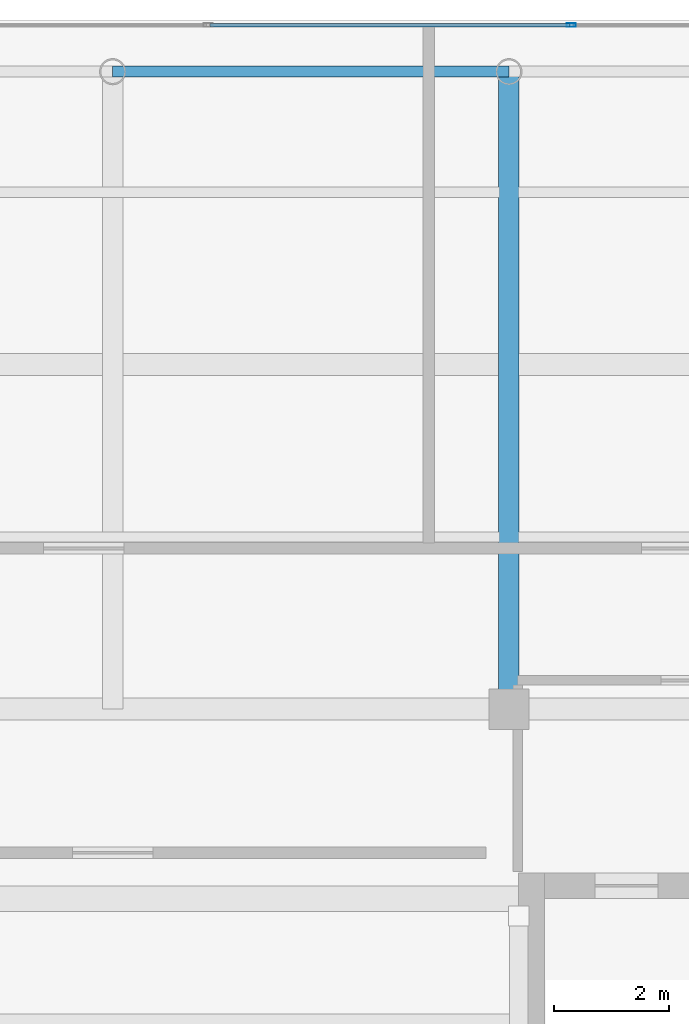
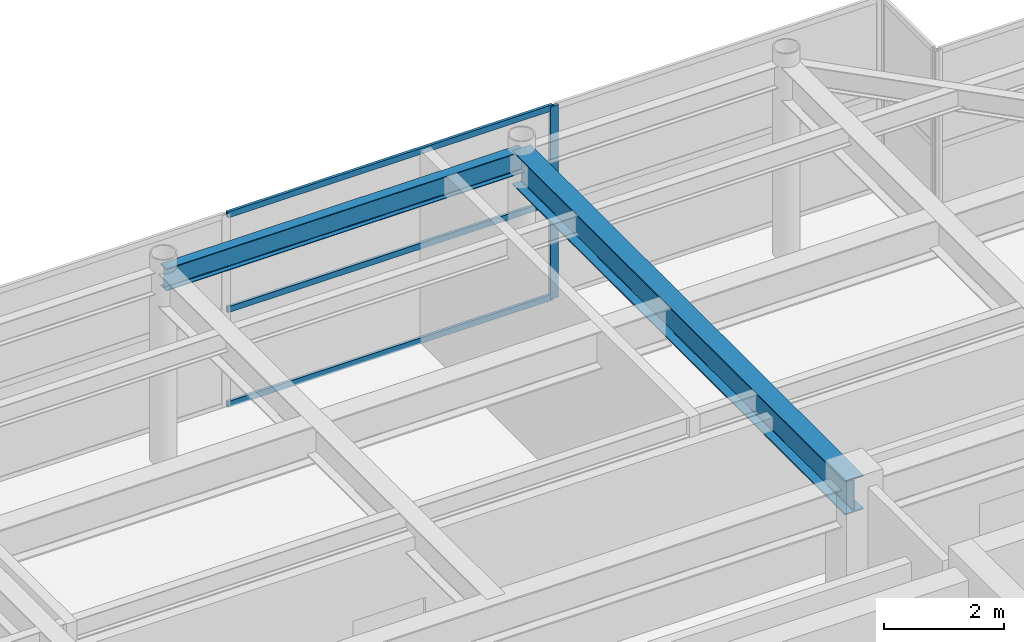
# One storey, part 26 of 33: 4 members, 2 beams, 1 element without a shape of its own.
"""IFC4 building model written with IfcOpenShell, lengths in metres."""

from ifc_helpers import new_model, si_unit, direction, frame, origin, origin_2d, place, context, subcontext, project, spatial, hollow_rectangle, i_section, extrude, source, transform, mapped, material, layer, layer_set, material_profile, profile_set, type_object, element, aggregate, save


model = new_model("IFC4")

# Units and contexts
model_context = context("Model", 3, precision=1e-05, world=origin(), true_north=direction((0.0, 1.0)))
body_context = subcontext(model_context, "Body", "Model", "MODEL_VIEW")
ifc_project = project(units=[si_unit("LENGTHUNIT", "METRE"), si_unit("AREAUNIT", "SQUARE_METRE"), si_unit("VOLUMEUNIT", "CUBIC_METRE"), si_unit("PLANEANGLEUNIT", "RADIAN"), si_unit("MASSUNIT", "GRAM", prefix="KILO")], contexts=[model_context])

# Site, building, storey
site_placement = place(None, origin())
site = spatial("IfcSite", under=ifc_project, at=site_placement, CompositionType="ELEMENT")
building_placement = place(site_placement, origin())
building = spatial("IfcBuilding", under=site, at=building_placement, Name="Khoralis Quay Care Tower", CompositionType="ELEMENT")
storey_placement = place(building_placement, frame((0.0, 0.0, 302.10009765625)))
storey = spatial("IfcBuildingStorey", under=building, at=storey_placement, Name="L79", CompositionType="ELEMENT", Elevation=302.10009765625)

# Beams
ifc_material_1 = material(Name="Steel S355", Category="steel")
ifc_material_profile_1 = material_profile(ifc_material_1, i_section(OverallWidth=0.18994140625, OverallDepth=0.449951171875, WebThickness=0.009521484375, FlangeThickness=0.0146484375, FilletRadius=0.02099609375, at=origin_2d()), Name="Steel S355")
ifc_profile_set_1 = profile_set([ifc_material_profile_1], Name="Steel S355")
beam_type_1 = type_object("IfcBeamType", Name="BM-IPE450", PredefinedType="SPANDREL", material=ifc_profile_set_1)
shared_shape_1 = source(origin(), body_context, "Body", "SweptSolid", [
    extrude(i_section(OverallWidth=0.18994140625, OverallDepth=0.449951171875, WebThickness=0.009521484375, FlangeThickness=0.0146484375, FilletRadius=0.02099609375, at=origin_2d()), origin(), (0.0, 0.0, 1.0), 6.89990234375),
])
beam_1_placement = place(storey_placement, frame((24.0, 41.10009765625, 3.69482421875), z_axis=(1.0, 0.0, 0.0), x_axis=(0.0, 1.0, 0.0)))
element("IfcBeam", 1, at=beam_1_placement, inside=storey, type_object=beam_type_1, Name="BM-TSP-L79-07", PredefinedType="SPANDREL", context=body_context, shape_type="MappedRepresentation", body=[
    mapped(shared_shape_1, transform((0.0, 0.0, 0.0), scale=1.0)),
])
ifc_material_profile_2 = material_profile(ifc_material_1, i_section(OverallWidth=0.35498046875, OverallDepth=0.695068359375, WebThickness=0.015380859375, FlangeThickness=0.02490234375, FilletRadius=0.02001953125, at=origin_2d()), Name="Steel S355")
ifc_profile_set_2 = profile_set([ifc_material_profile_2], Name="Steel S355")
beam_type_2 = type_object("IfcBeamType", Name="BM-W690X217", PredefinedType="BEAM", material=ifc_profile_set_2)
shared_shape_2 = source(origin(), body_context, "Body", "SweptSolid", [
    extrude(i_section(OverallWidth=0.35498046875, OverallDepth=0.695068359375, WebThickness=0.015380859375, FlangeThickness=0.02490234375, FilletRadius=0.02001953125, at=origin_2d()), origin(), (0.0, 0.0, 1.0), 11.10009765625),
])
beam_2_placement = place(storey_placement, frame((30.89990234375, 30.0, 3.572509765625), z_axis=(0.0, 1.0, 0.0), x_axis=(-1.0, 0.0, 0.0)))
element("IfcBeam", 2, at=beam_2_placement, inside=storey, type_object=beam_type_2, Name="BM-TGYN-L79-309", PredefinedType="BEAM", context=body_context, shape_type="MappedRepresentation", body=[
    mapped(shared_shape_2, transform((0.0, 0.0, 0.0), scale=1.0)),
])

# Curtain wall, members
ifc_material_2 = material(Name="Pale anodised aluminium", Category="aluminium")
ifc_layer = layer(ifc_material_2, 0.199951171875)
ifc_layer_set = layer_set([ifc_layer], Name="Pale anodised aluminium")
curtain_wall_type = type_object("IfcCurtainWallType", Name="CW-SYS-LANTERN", PredefinedType="NOTDEFINED", material=ifc_layer_set)
curtain_wall_placement = place(storey_placement, origin())
curtain_wall = element("IfcCurtainWall", 3, at=curtain_wall_placement, inside=storey, type_object=curtain_wall_type, Name="L79 Unitised Curtain Wall CW-LN-L79-11", PredefinedType="NOTDEFINED")
ifc_material_profile_3 = material_profile(ifc_material_2, hollow_rectangle(XDim=0.054931640625, YDim=0.1201171875, WallThickness=0.00390625, at=origin_2d()), Name="Pale anodised aluminium")
ifc_profile_set_3 = profile_set([ifc_material_profile_3], Name="Pale anodised aluminium")
member_type_1 = type_object("IfcMemberType", Name="CW-TRN-120", PredefinedType="USERDEFINED", material=ifc_profile_set_3)
shared_shape_3 = source(origin(), body_context, "Body", "SweptSolid", [
    extrude(hollow_rectangle(XDim=0.054931640625, YDim=0.1201171875, WallThickness=0.00390625, at=origin_2d()), origin(), (0.0, 0.0, 1.0), 6.26416015625),
])
member_1_placement = place(storey_placement, frame((31.9560546875, 41.909912109375, 0.02978515625), z_axis=(-1.0, 0.0, 0.0), x_axis=(0.0, -1.0, 0.0)))
member_1 = element("IfcMember", 4, at=member_1_placement, type_object=member_type_1, Name="CW5 transom 2.1", ObjectType="TRANSOM", PredefinedType="USERDEFINED", context=body_context, shape_type="MappedRepresentation", body=[
    mapped(shared_shape_3, transform((0.0, 0.0, 0.0), scale=1.0)),
])
member_2_placement = place(storey_placement, frame((31.9560546875, 41.909912109375, 1.9599609375), z_axis=(-1.0, 0.0, 0.0), x_axis=(0.0, -1.0, 0.0)))
member_2 = element("IfcMember", 5, at=member_2_placement, type_object=member_type_1, Name="CW5 transom 2.2", ObjectType="TRANSOM", PredefinedType="USERDEFINED", context=body_context, shape_type="MappedRepresentation", body=[
    mapped(shared_shape_3, transform((0.0, 0.0, 0.0), scale=1.0)),
])
member_3_placement = place(storey_placement, frame((31.9560546875, 41.909912109375, 3.889892578125), z_axis=(-1.0, 0.0, 0.0), x_axis=(0.0, -1.0, 0.0)))
member_3 = element("IfcMember", 6, at=member_3_placement, type_object=member_type_1, Name="CW5 transom 2.3", ObjectType="TRANSOM", PredefinedType="USERDEFINED", context=body_context, shape_type="MappedRepresentation", body=[
    mapped(shared_shape_3, transform((0.0, 0.0, 0.0), scale=1.0)),
])
ifc_material_profile_4 = material_profile(ifc_material_2, hollow_rectangle(XDim=0.06005859375, YDim=0.159912109375, WallThickness=0.00390625, at=origin_2d()), Name="Pale anodised aluminium")
ifc_profile_set_4 = profile_set([ifc_material_profile_4], Name="Pale anodised aluminium")
member_type_2 = type_object("IfcMemberType", Name="CW-MUL-160", PredefinedType="MULLION", material=ifc_profile_set_4)
shared_shape_4 = source(origin(), body_context, "Body", "SweptSolid", [
    extrude(hollow_rectangle(XDim=0.06005859375, YDim=0.159912109375, WallThickness=0.00390625, at=origin_2d()), origin(), (0.0, 0.0, 1.0), 3.919921875),
])
member_4_placement = place(storey_placement, frame((31.986083984375, 41.909912109375, 0.0), z_axis=(0.0, 0.0, 1.0), x_axis=(0.0, -1.0, 0.0)))
member_4 = element("IfcMember", 7, at=member_4_placement, type_object=member_type_2, Name="CW5 mullion 2", PredefinedType="MULLION", context=body_context, shape_type="MappedRepresentation", body=[
    mapped(shared_shape_4, transform((0.0, 0.0, 0.0), scale=1.0)),
])
aggregate(curtain_wall, [member_4, member_1, member_2, member_3])

save(model, "model.ifc")
